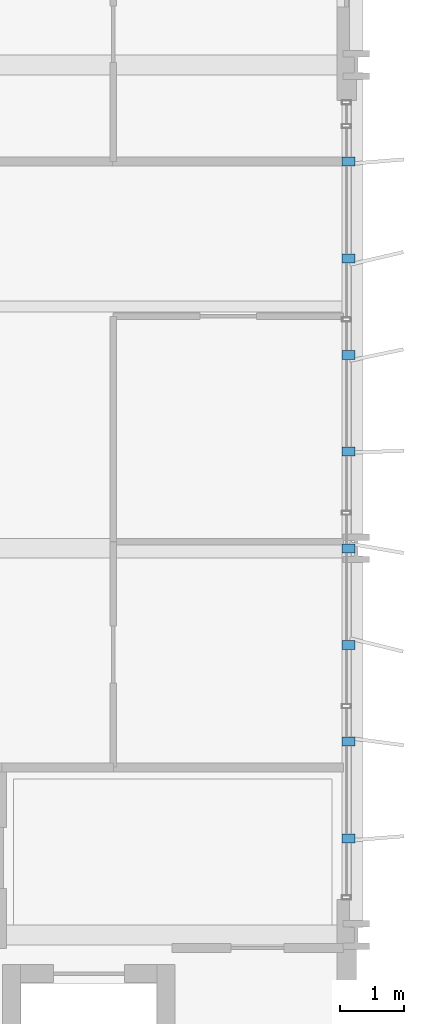
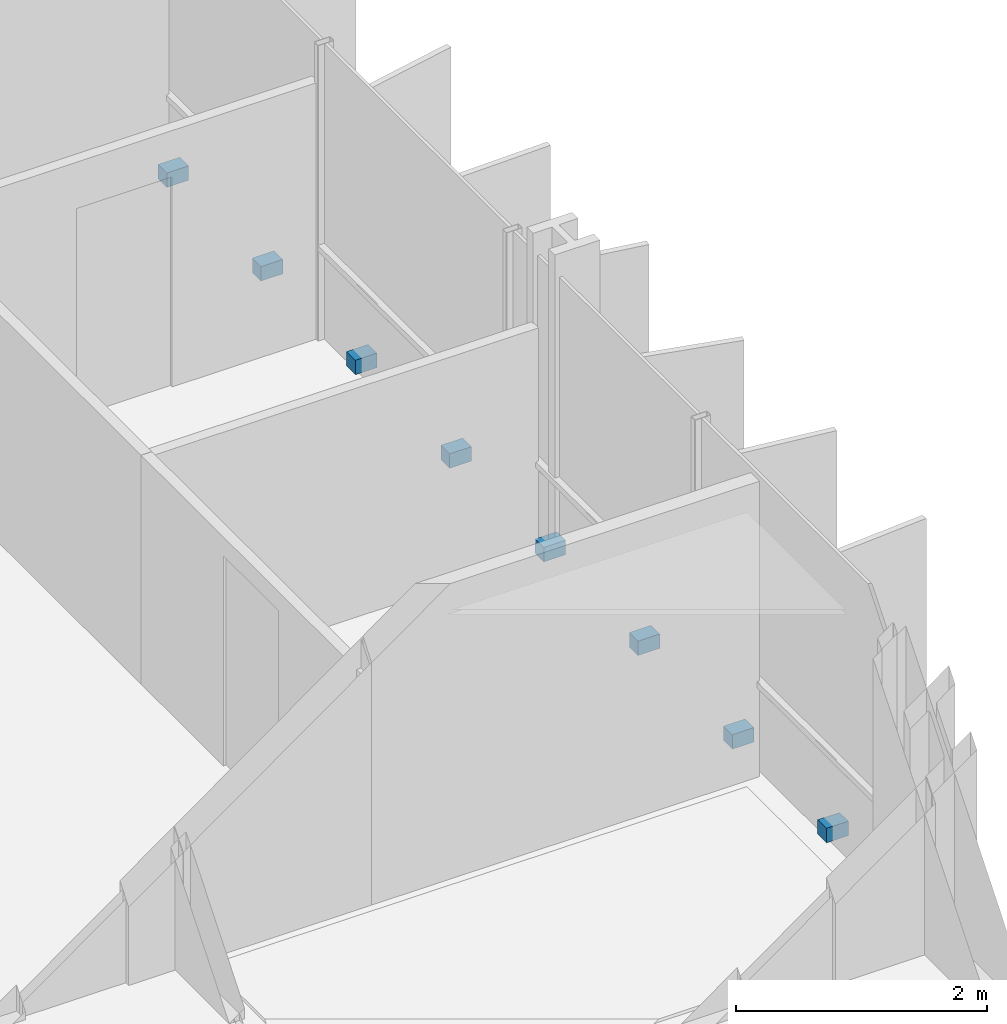
# One storey, part 34 of 38: 8 discrete accessories.
"""IFC4 building model written with IfcOpenShell, lengths in metres."""

from ifc_helpers import new_model, si_unit, direction, frame, origin, origin_2d, place, context, subcontext, project, spatial, rectangle, extrude, material, type_object, element, save


model = new_model("IFC4")

# Units and contexts
model_context = context("Model", 3, precision=1e-05, world=origin(), true_north=direction((0.0, 1.0)))
body_context = subcontext(model_context, "Body", "Model", "MODEL_VIEW")
ifc_project = project(units=[si_unit("LENGTHUNIT", "METRE"), si_unit("AREAUNIT", "SQUARE_METRE"), si_unit("VOLUMEUNIT", "CUBIC_METRE"), si_unit("PLANEANGLEUNIT", "RADIAN"), si_unit("MASSUNIT", "GRAM", prefix="KILO")], contexts=[model_context])

# Site, building, storey
site_placement = place(None, origin())
site = spatial("IfcSite", under=ifc_project, at=site_placement, CompositionType="ELEMENT")
building_placement = place(site_placement, origin())
building = spatial("IfcBuilding", under=site, at=building_placement, Name="Brevholm Reach", CompositionType="ELEMENT")
storey_placement = place(building_placement, frame((0.0, 0.0, 59.0)))
storey = spatial("IfcBuildingStorey", under=building, at=storey_placement, Name="L16", CompositionType="ELEMENT", Elevation=59.0)

# Discrete accessories
ifc_material = material(Name="Duplex Stainless Steel EN 1.4462", Category="steel")
discrete_accessory_type = type_object("IfcDiscreteAccessoryType", Name="ACC-BRK-01", PredefinedType="BRACKET", material=ifc_material)
for number, where, z_axis, x_axis, name in (
    (1, (59.8798828125, 11.5, 0.0302734375), (0.0, 0.0, 1.0), (1.0, 0.0, 0.0), "L16 Solar Screen Support Bracket 1"),
    (2, (59.8798828125, 13.0, 0.0302734375), (0.0, 0.0, 1.0), (1.0, 0.0, 0.0), "L16 Solar Screen Support Bracket 2"),
    (3, (59.8798828125, 14.5, 0.0302734375), (0.0, 0.0, 1.0), (1.0, 0.0, 0.0), "L16 Solar Screen Support Bracket 3"),
    (4, (59.8798828125, 16.0, 0.0302734375), (0.0, 0.0, 1.0), (1.0, 0.0, 0.0), "L16 Solar Screen Support Bracket 4"),
    (5, (59.8798828125, 17.5, 0.0302734375), (0.0, 0.0, 1.0), (1.0, 0.0, 0.0), "L16 Solar Screen Support Bracket 5"),
    (6, (59.8798828125, 19.0, 0.0302734375), (0.0, 0.0, 1.0), (1.0, 0.0, 0.0), "L16 Solar Screen Support Bracket 6"),
    (7, (59.8798828125, 20.5, 0.0302734375), (0.0, 0.0, 1.0), (1.0, 0.0, 0.0), "L16 Solar Screen Support Bracket 7"),
    (8, (59.8798828125, 22.0, 0.0302734375), (0.0, 0.0, 1.0), (1.0, 0.0, 0.0), "L16 Solar Screen Support Bracket 8"),
):
    element("IfcDiscreteAccessory", number, at=place(storey_placement, frame(where, z_axis=z_axis, x_axis=x_axis)), inside=storey, type_object=discrete_accessory_type, Name=name, PredefinedType="BRACKET", context=body_context, shape_type="SweptSolid", body=[
        extrude(rectangle(XDim=0.199951171875, YDim=0.139892578125, at=origin_2d()), origin(), (0.0, 0.0, 1.0), 0.139892578125),
    ])

save(model, "model.ifc")
